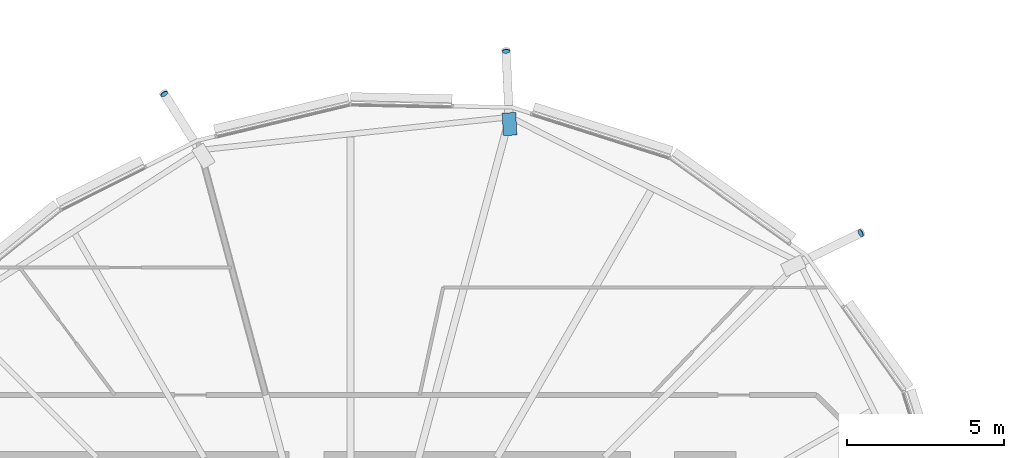
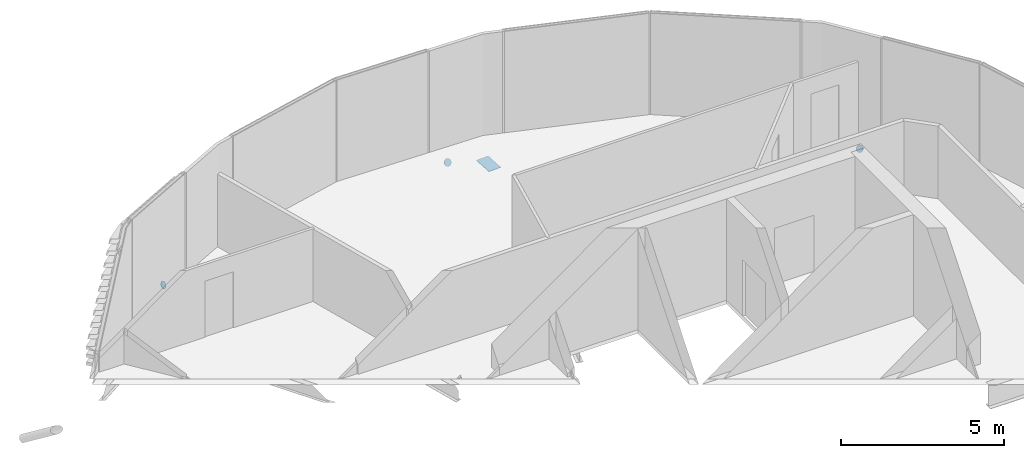
# One storey, part 27 of 33: 4 discrete accessories.
"""IFC4 building model written with IfcOpenShell, lengths in metres."""

import ifcopenshell
import ifcopenshell.guid

model = None  # the IFC model being written
_history = None  # IfcOwnerHistory: only IFC2X3 demands one
_inside = {}  # id of a spatial element -> (the spatial element, [elements in it])
_under = {}  # id of a project, library or spatial element -> (it, [spatial elements below it])
_declared = {}  # id of a project -> (the project, [libraries it declares])
_typed = {}  # id of a type object -> (the type object, [elements of that type])
_made_of = {}  # id of a material, layer set ... -> (it, [elements and type objects made of it])


def new_model(schema):
    """Start an empty IFC model of exactly this schema.

    Asked for "IFC4X3", IfcOpenShell would pick the latest addendum, in which some entities
    have other attributes; the version numbers below select the first issue.
    IFC2X3 requires an IfcOwnerHistory on every rooted entity: one is made here for all.
    """
    global model, _history
    if schema == "IFC4X3":
        model = ifcopenshell.file(schema_version=(4, 3, 0, 0))
    else:
        model = ifcopenshell.file(schema=schema)
    _inside.clear()
    _under.clear()
    _declared.clear()
    _typed.clear()
    _made_of.clear()
    _history = None
    if model.schema == "IFC2X3":
        org = make("IfcOrganization", Name="unknown")
        user = make(
            "IfcPersonAndOrganization",
            ThePerson=make("IfcPerson", FamilyName="unknown"),
            TheOrganization=org,
        )
        app = make(
            "IfcApplication",
            ApplicationDeveloper=org,
            Version="unknown",
            ApplicationFullName="unknown",
            ApplicationIdentifier="unknown",
        )
        _history = make(
            "IfcOwnerHistory",
            OwningUser=user,
            OwningApplication=app,
            ChangeAction="ADDED",
            CreationDate=0,
        )
    return model


def make(cls, **values):
    """One entity of the class cls with the attributes given. An attribute that is None is left unset."""
    return model.create_entity(
        cls, **{name: value for name, value in values.items() if value is not None}
    )


def rooted(cls, **values):
    """An entity with a GlobalId (a new one), such as an element, a storey or a relation."""
    return make(cls, GlobalId=ifcopenshell.guid.new(), OwnerHistory=_history, **values)


def si_unit(unit_type, name, prefix=None):
    """IfcSIUnit, for example si_unit("LENGTHUNIT", "METRE", prefix="MILLI")."""
    return make("IfcSIUnit", UnitType=unit_type, Prefix=prefix, Name=name)


def assignment(units):
    """IfcUnitAssignment: the units of a project."""
    return None if units is None else make("IfcUnitAssignment", Units=units)


def point(xyz):
    """IfcCartesianPoint."""
    return None if xyz is None else make("IfcCartesianPoint", Coordinates=xyz)


def direction(xyz):
    """IfcDirection."""
    return None if xyz is None else make("IfcDirection", DirectionRatios=xyz)


def frame(location, z_axis=None, x_axis=None):
    """IfcAxis2Placement3D, a coordinate frame: its origin and axes. An axis left out is left unset."""
    return make(
        "IfcAxis2Placement3D",
        Location=point(location),
        Axis=direction(z_axis),
        RefDirection=direction(x_axis),
    )


def frame_2d(location, x_axis=None):
    """IfcAxis2Placement2D, a coordinate frame in the plane: its origin and x axis."""
    return make(
        "IfcAxis2Placement2D", Location=point(location), RefDirection=direction(x_axis)
    )


def origin():
    """The frame at (0, 0, 0) with its axes left unset."""
    return frame((0.0, 0.0, 0.0))


def origin_2d():
    """The frame at (0, 0) in the plane with its x axis left unset."""
    return frame_2d((0.0, 0.0))


def place(relative_to, where):
    """IfcLocalPlacement: puts the frame where relative to a parent placement (None: the world)."""
    return make(
        "IfcLocalPlacement", PlacementRelTo=relative_to, RelativePlacement=where
    )


def context(
    kind, dimensions, precision=None, world=None, true_north=None, identifier=None
):
    """IfcGeometricRepresentationContext, for example the 3D "Model" context."""
    return make(
        "IfcGeometricRepresentationContext",
        ContextIdentifier=identifier,
        ContextType=kind,
        CoordinateSpaceDimension=dimensions,
        Precision=precision,
        WorldCoordinateSystem=world,
        TrueNorth=true_north,
    )


def subcontext(parent, identifier, kind, view, scale=None):
    """IfcGeometricRepresentationSubContext, for example "Body" below "Model"."""
    return make(
        "IfcGeometricRepresentationSubContext",
        ContextIdentifier=identifier,
        ContextType=kind,
        ParentContext=parent,
        TargetScale=scale,
        TargetView=view,
    )


def project(units=None, contexts=None):
    """IfcProject with its units and contexts."""
    return rooted(
        "IfcProject",
        Name="project",
        RepresentationContexts=contexts,
        UnitsInContext=assignment(units),
    )


def spatial(cls, under=None, at=None, **own):
    """A site, building, storey or space (cls), placed at a placement, below another one or the project."""
    s = rooted(cls, ObjectPlacement=at, **own)
    if under is not None:
        _under.setdefault(under.id(), (under, []))[1].append(s)
    return s


def polyline(points):
    """IfcPolyline through the points."""
    return make("IfcPolyline", Points=[point(p) for p in points])


def profile(cls, at=None, kind="AREA", **sizes):
    """A parametric profile (cls). Its sizes go by their IFC names, for example OverallWidth=200.0."""
    return make(cls, ProfileType=kind, Position=at, **sizes)


def rectangle(**sizes):
    """IfcRectangleProfileDef."""
    return profile("IfcRectangleProfileDef", **sizes)


def circle(**sizes):
    """IfcCircleProfileDef."""
    return profile("IfcCircleProfileDef", **sizes)


def outline(outer, holes=None, kind="AREA"):
    """IfcArbitraryClosedProfileDef: a profile drawn as a closed curve; with holes, ...WithVoids."""
    if holes is None:
        return make("IfcArbitraryClosedProfileDef", ProfileType=kind, OuterCurve=outer)
    return make(
        "IfcArbitraryProfileDefWithVoids",
        ProfileType=kind,
        OuterCurve=outer,
        InnerCurves=holes,
    )


def extrude(swept, where, along, depth):
    """IfcExtrudedAreaSolid: the profile swept, set in the frame where, extruded along a direction by depth."""
    return make(
        "IfcExtrudedAreaSolid",
        SweptArea=swept,
        Position=where,
        ExtrudedDirection=direction(along),
        Depth=depth,
    )


def shape(context_of_items, identifier, shape_type, items):
    """IfcShapeRepresentation: the items that make up one representation, for example the "Body"."""
    return make(
        "IfcShapeRepresentation",
        ContextOfItems=context_of_items,
        RepresentationIdentifier=identifier,
        RepresentationType=shape_type,
        Items=items,
    )


def material(Name=None, Category=None):
    """IfcMaterial."""
    return make("IfcMaterial", Name=Name, Category=Category)


def material_profile(
    of_material, cross_section, Name=None, Category=None, Priority=None
):
    """IfcMaterialProfile: a cross section and its material."""
    return make(
        "IfcMaterialProfile",
        Name=Name,
        Material=of_material,
        Profile=cross_section,
        Priority=Priority,
        Category=Category,
    )


def profile_set(profiles, Name=None, composite=None):
    """IfcMaterialProfileSet."""
    return make(
        "IfcMaterialProfileSet",
        Name=Name,
        MaterialProfiles=profiles,
        CompositeProfile=composite,
    )


def made_of(thing, what):
    """Note that an element or type object is made of a material, layer set ...; save() writes the relation."""
    if what is not None:
        _made_of.setdefault(what.id(), (what, []))[1].append(thing)
    return thing


def type_object(cls, material=None, **own):
    """A type object (cls), such as IfcWallType, which elements share."""
    return made_of(rooted(cls, **own), material)


def element(
    cls,
    number,
    at=None,
    inside=None,
    cuts=None,
    type_object=None,
    material=None,
    context=None,
    identifier="Body",
    shape_type=None,
    held_by="IfcProductDefinitionShape",
    body=None,
    shapes=None,
    **own,
):
    """One element of the class cls, such as IfcWall. Its Tag is "e" and its number.

    at: its placement. inside: the storey or other place that contains it. cuts: it is an
    opening in that element (IfcRelVoidsElement). A single representation is given by context,
    identifier, shape_type and body (its items); several are given by shapes. held_by: the class
    of the entity that holds the representations. save() writes the other relations.
    """
    e = rooted(cls, Tag="e%d" % number, ObjectPlacement=at, **own)
    if body is not None:
        shapes = [shape(context, identifier, shape_type, body)]
    if shapes is not None:
        e.Representation = make(held_by, Representations=shapes)
    if inside is not None:
        _inside.setdefault(inside.id(), (inside, []))[1].append(e)
    if cuts is not None:
        rooted(
            "IfcRelVoidsElement", RelatingBuildingElement=cuts, RelatedOpeningElement=e
        )
    if type_object is not None:
        _typed.setdefault(type_object.id(), (type_object, []))[1].append(e)
    return made_of(e, material)


def aggregate(whole, parts):
    """IfcRelAggregates: a whole, such as a stair, and the parts it consists of."""
    return rooted("IfcRelAggregates", RelatingObject=whole, RelatedObjects=parts)


def save(model, path):
    """Write the relations noted so far, then the file.

    IfcRelAggregates (storeys below a building ...), IfcRelContainedInSpatialStructure (elements
    in a storey), IfcRelDefinesByType, IfcRelAssociatesMaterial and IfcRelDeclares: one each for
    every whole, place, type object, material and project.
    """
    for whole, parts in _under.values():
        aggregate(whole, parts)
    for where, things in _inside.values():
        rooted(
            "IfcRelContainedInSpatialStructure",
            RelatedElements=things,
            RelatingStructure=where,
        )
    for kind, things in _typed.values():
        rooted("IfcRelDefinesByType", RelatedObjects=things, RelatingType=kind)
    for what, things in _made_of.values():
        rooted("IfcRelAssociatesMaterial", RelatedObjects=things, RelatingMaterial=what)
    for by, libraries in _declared.values():
        rooted("IfcRelDeclares", RelatingContext=by, RelatedDefinitions=libraries)
    model.write(path)


model = new_model("IFC4")

# Units and contexts
model_context = context("Model", 3, precision=1e-05, world=origin(), true_north=direction((0.0, 1.0)))
body_context = subcontext(model_context, "Body", "Model", "MODEL_VIEW")
ifc_project = project(units=[si_unit("LENGTHUNIT", "METRE"), si_unit("AREAUNIT", "SQUARE_METRE"), si_unit("VOLUMEUNIT", "CUBIC_METRE"), si_unit("PLANEANGLEUNIT", "RADIAN"), si_unit("MASSUNIT", "GRAM", prefix="KILO")], contexts=[model_context])

# Site, building, storey
site_placement = place(None, origin())
site = spatial("IfcSite", under=ifc_project, at=site_placement, CompositionType="ELEMENT")
building_placement = place(site_placement, origin())
building = spatial("IfcBuilding", under=site, at=building_placement, Name="Rimbun Link Towers", CompositionType="ELEMENT")
storey_placement = place(building_placement, frame((0.0, 0.0, 237.10009765625)))
storey = spatial("IfcBuildingStorey", under=building, at=storey_placement, Name="L58", CompositionType="ELEMENT", Elevation=237.10009765625)

# Discrete accessories
ifc_material_1 = material(Name="Steel S355J2H", Category="steel")
ifc_material_profile_1 = material_profile(ifc_material_1, circle(Radius=0.1240234375, at=origin_2d()), Name="PL D248")
ifc_profile_set_1 = profile_set([ifc_material_profile_1], Name="Steel S355J2H")
discrete_accessory_type_1 = type_object("IfcDiscreteAccessoryType", Name="Link foot sealing plate D248X20", PredefinedType="BRACKET", material=ifc_profile_set_1)
for number, where, z_axis, x_axis, name in (
    (1, (47.95947265625, 15.190185546875, -1.986328125), (0.783229949511, 0.367139038833, -0.501756686406), (-0.424433876231, 0.905458935959, 0.0), "Link foot sealing plate T2 L58 00"),
    (2, (36.693359375, 20.9658203125, -2.060302734375), (-0.049025351129, 0.870199982541, -0.490253511291), (-0.998416781117, -0.056248832739, 0.0), "Link foot sealing plate T2 L58 02"),
    (3, (25.83251953125, 19.61083984375, -2.023193359375), (-0.463380178246, 0.73165291302, -0.499962823897), (-0.844819075554, -0.535052081184, 0.0), "Link foot sealing plate T2 L58 04"),
):
    element("IfcDiscreteAccessory", number, at=place(storey_placement, frame(where, z_axis=z_axis, x_axis=x_axis)), inside=storey, type_object=discrete_accessory_type_1, Name=name, PredefinedType="BRACKET", context=body_context, shape_type="SweptSolid", body=[
        extrude(circle(Radius=0.1240234375, at=origin_2d()), origin(), (0.0, 0.0, 1.0), 0.02001953125),
    ])
ifc_material_2 = material(Name="Steel S355J2H", Category="steel")
ifc_material_profile_2 = material_profile(ifc_material_2, rectangle(XDim=0.43310546875, YDim=0.43310546875, at=origin_2d()), Name="PL 433x433")
ifc_profile_set_2 = profile_set([ifc_material_profile_2], Name="Steel S355J2H")
discrete_accessory_type_2 = type_object("IfcDiscreteAccessoryType", Name="Link head end plate 433X20", PredefinedType="BRACKET", material=ifc_profile_set_2)
discrete_accessory_placement = place(storey_placement, frame((0.0, 0.0, -0.7626953125)))
element("IfcDiscreteAccessory", 4, at=discrete_accessory_placement, inside=storey, type_object=discrete_accessory_type_2, Name="Link head end plate T2 L58 02", PredefinedType="BRACKET", context=body_context, shape_type="SweptSolid", body=[
    extrude(outline(polyline([(37.038330078125, 18.310302734375), (37.00390625, 19.02685546875), (36.5712890625, 19.006103515625), (36.60595703125, 18.289306640625), (37.038330078125, 18.310302734375)])), origin(), (0.0, 0.0, 1.0), 0.02001953125),
])

save(model, "model.ifc")
